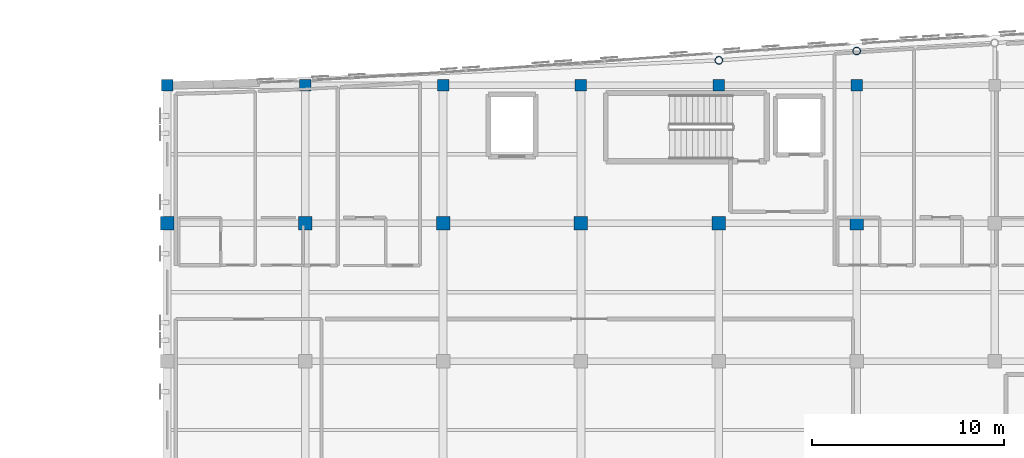
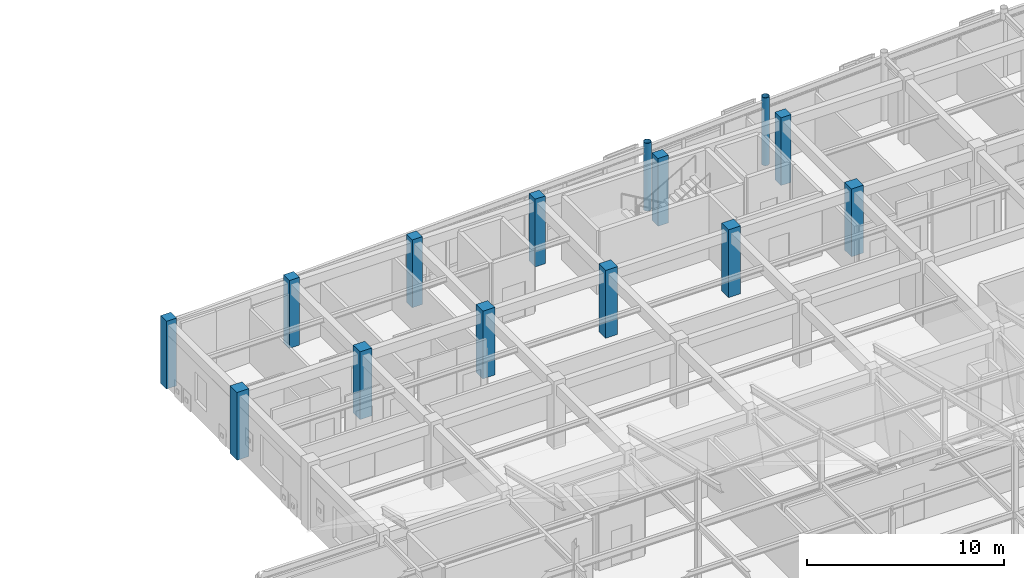
# One storey, part 8 of 113: 14 columns.
"""IFC4 building model written with IfcOpenShell, lengths in metres."""

from ifc_helpers import new_model, si_unit, direction, frame, origin, origin_2d, place, context, subcontext, project, spatial, rectangle, hollow_circle, extrude, material, material_profile, profile_set, type_object, element, save


model = new_model("IFC4")

# Units and contexts
model_context = context("Model", 3, precision=1e-05, world=origin(), true_north=direction((0.0, 1.0)))
body_context = subcontext(model_context, "Body", "Model", "MODEL_VIEW")
ifc_project = project(units=[si_unit("LENGTHUNIT", "METRE"), si_unit("AREAUNIT", "SQUARE_METRE"), si_unit("VOLUMEUNIT", "CUBIC_METRE"), si_unit("PLANEANGLEUNIT", "RADIAN"), si_unit("MASSUNIT", "GRAM", prefix="KILO")], contexts=[model_context])

# Site, building, storey
site_placement = place(None, origin())
site = spatial("IfcSite", under=ifc_project, at=site_placement, CompositionType="ELEMENT")
building_placement = place(site_placement, origin())
building = spatial("IfcBuilding", under=site, at=building_placement, Name="Carrowvane Square Congress Hotel", CompositionType="ELEMENT")
storey_placement = place(building_placement, frame((0.0, 0.0, 15.0)))
storey = spatial("IfcBuildingStorey", under=building, at=storey_placement, Name="L03", CompositionType="ELEMENT", Elevation=15.0)

# Columns
ifc_material_1 = material(Name="Concrete C40/50", Category="concrete")
ifc_material_profile_1 = material_profile(ifc_material_1, rectangle(XDim=0.60009765625, YDim=0.60009765625, at=origin_2d()), Name="RC 600x600")
ifc_profile_set_1 = profile_set([ifc_material_profile_1], Name="Concrete C40/50")
column_type_1 = type_object("IfcColumnType", Name="COL-RC-600", PredefinedType="COLUMN", material=ifc_profile_set_1)
for number, where, z_axis, x_axis, name in (
    (1, (33.199951171875, 113.39990234375, 0.0), (0.0, 0.0, 1.0), (1.0, 0.0, 0.0), "L03 column 4/R"),
    (2, (40.39990234375, 113.39990234375, 0.0), (0.0, 0.0, 1.0), (1.0, 0.0, 0.0), "L03 column 5/R"),
    (3, (47.60009765625, 113.39990234375, 0.0), (0.0, 0.0, 1.0), (1.0, 0.0, 0.0), "L03 column 6/R"),
    (4, (54.800048828125, 113.39990234375, 0.0), (0.0, 0.0, 1.0), (1.0, 0.0, 0.0), "L03 column 7/R"),
    (5, (62.0, 113.39990234375, 0.0), (0.0, 0.0, 1.0), (1.0, 0.0, 0.0), "L03 column 8/R"),
    (6, (69.199951171875, 113.39990234375, 0.0), (0.0, 0.0, 1.0), (1.0, 0.0, 0.0), "L03 column 9/R"),
):
    element("IfcColumn", number, at=place(storey_placement, frame(where, z_axis=z_axis, x_axis=x_axis)), inside=storey, type_object=column_type_1, Name=name, PredefinedType="COLUMN", context=body_context, shape_type="SweptSolid", body=[
        extrude(rectangle(XDim=0.60009765625, YDim=0.60009765625, at=origin_2d()), origin(), (0.0, 0.0, 1.0), 4.199951171875),
    ])
ifc_material_2 = material(Name="Concrete C40/50", Category="concrete")
ifc_material_profile_2 = material_profile(ifc_material_2, rectangle(XDim=0.699951171875, YDim=0.699951171875, at=origin_2d()), Name="RC 700x700")
ifc_profile_set_2 = profile_set([ifc_material_profile_2], Name="Concrete C40/50")
column_type_2 = type_object("IfcColumnType", Name="COL-RC-700", PredefinedType="COLUMN", material=ifc_profile_set_2)
for number, where, z_axis, x_axis, name in (
    (7, (33.199951171875, 106.199951171875, 0.0), (0.0, 0.0, 1.0), (1.0, 0.0, 0.0), "L03 column 4/Q"),
    (8, (40.39990234375, 106.199951171875, 0.0), (0.0, 0.0, 1.0), (1.0, 0.0, 0.0), "L03 column 5/Q"),
    (9, (47.60009765625, 106.199951171875, 0.0), (0.0, 0.0, 1.0), (1.0, 0.0, 0.0), "L03 column 6/Q"),
    (10, (54.800048828125, 106.199951171875, 0.0), (0.0, 0.0, 1.0), (1.0, 0.0, 0.0), "L03 column 7/Q"),
    (11, (62.0, 106.199951171875, 0.0), (0.0, 0.0, 1.0), (1.0, 0.0, 0.0), "L03 column 8/Q"),
    (12, (69.199951171875, 106.199951171875, 0.0), (0.0, 0.0, 1.0), (1.0, 0.0, 0.0), "L03 column 9/Q"),
):
    element("IfcColumn", number, at=place(storey_placement, frame(where, z_axis=z_axis, x_axis=x_axis)), inside=storey, type_object=column_type_2, Name=name, PredefinedType="COLUMN", context=body_context, shape_type="SweptSolid", body=[
        extrude(rectangle(XDim=0.699951171875, YDim=0.699951171875, at=origin_2d()), origin(), (0.0, 0.0, 1.0), 4.199951171875),
    ])
ifc_material_3 = material(Name="Steel S355", Category="steel")
ifc_material_profile_3 = material_profile(ifc_material_3, hollow_circle(Radius=0.203125, WallThickness=0.02001953125, at=origin_2d()), Name="CHS 406.4x20")
ifc_profile_set_3 = profile_set([ifc_material_profile_3], Name="Steel S355")
column_type_3 = type_object("IfcColumnType", Name="COL-ST-CHS406", PredefinedType="COLUMN", material=ifc_profile_set_3)
for number, where, z_axis, x_axis, name in (
    (13, (62.0, 114.7060546875, 0.0), (0.0, 0.0, 1.0), (1.0, 0.0, 0.0), "L03 column 8/ARC"),
    (14, (69.199951171875, 115.1943359375, 0.0), (0.0, 0.0, 1.0), (1.0, 0.0, 0.0), "L03 column 9/ARC"),
):
    element("IfcColumn", number, at=place(storey_placement, frame(where, z_axis=z_axis, x_axis=x_axis)), inside=storey, type_object=column_type_3, Name=name, PredefinedType="COLUMN", context=body_context, shape_type="SweptSolid", body=[
        extrude(hollow_circle(Radius=0.203125, WallThickness=0.02001953125, at=origin_2d()), origin(), (0.0, 0.0, 1.0), 4.199951171875),
    ])

save(model, "model.ifc")
